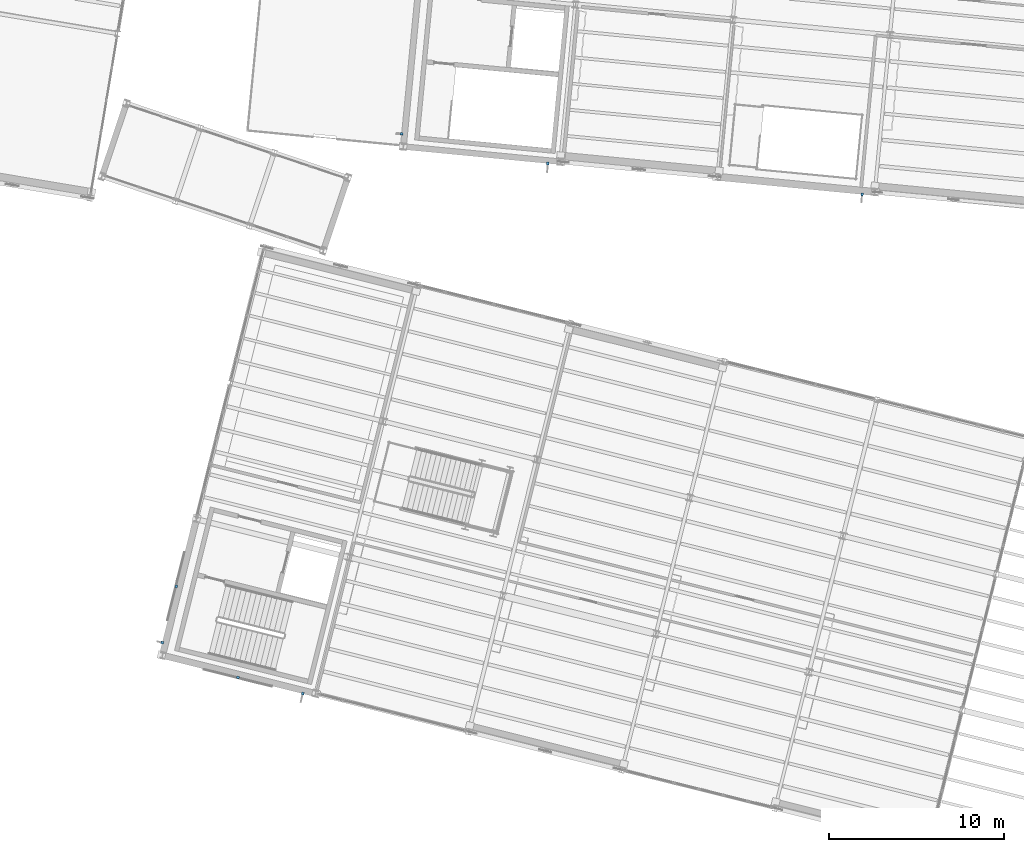
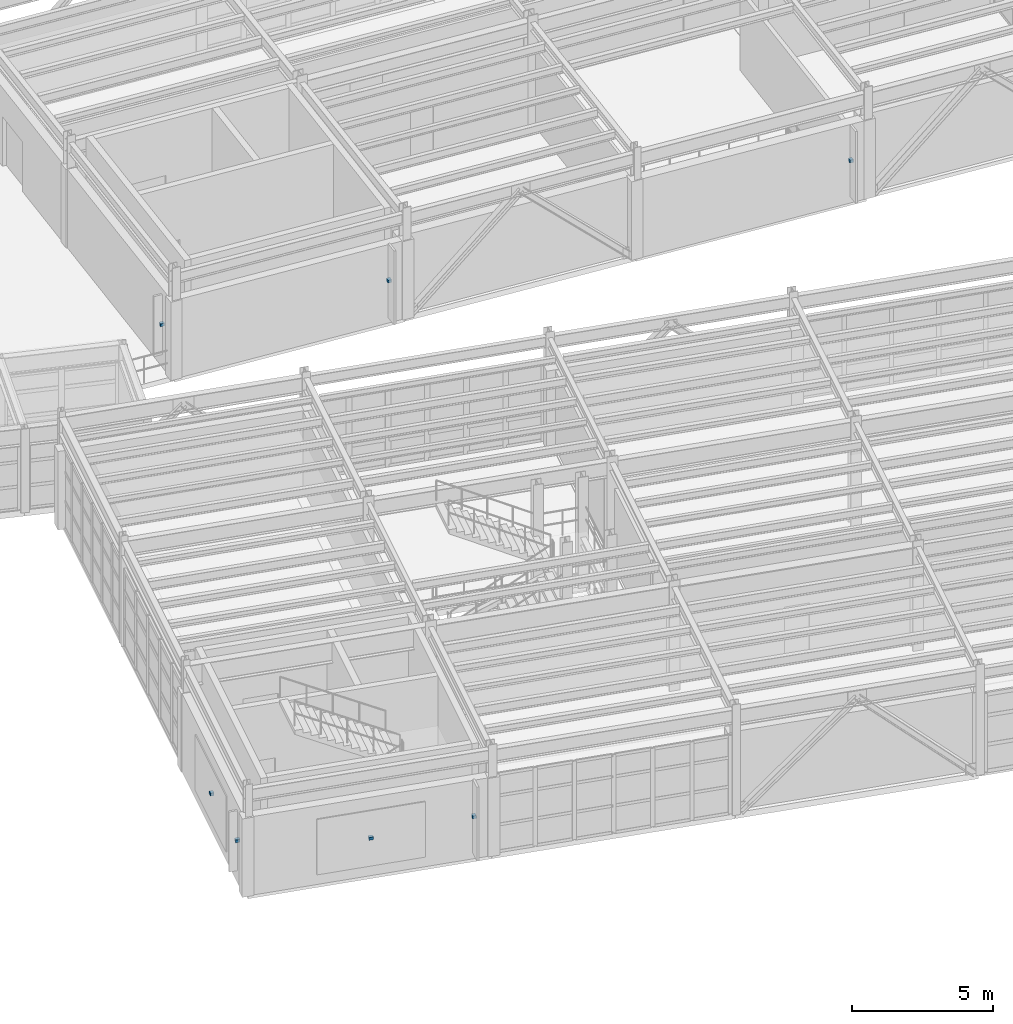
# One storey, part 94 of 102: 7 discrete accessories.
"""IFC4 building model written with IfcOpenShell, lengths in metres."""

from ifc_helpers import new_model, si_unit, direction, frame, origin, origin_2d, place, context, subcontext, project, spatial, rectangle, extrude, material, type_object, element, save


model = new_model("IFC4")

# Units and contexts
model_context = context("Model", 3, precision=1e-05, world=origin(), true_north=direction((0.0, 1.0)))
body_context = subcontext(model_context, "Body", "Model", "MODEL_VIEW")
ifc_project = project(units=[si_unit("LENGTHUNIT", "METRE"), si_unit("AREAUNIT", "SQUARE_METRE"), si_unit("VOLUMEUNIT", "CUBIC_METRE"), si_unit("PLANEANGLEUNIT", "RADIAN"), si_unit("MASSUNIT", "GRAM", prefix="KILO")], contexts=[model_context])

# Site, building, storey
site_placement = place(None, origin())
site = spatial("IfcSite", under=ifc_project, at=site_placement, CompositionType="ELEMENT")
building_placement = place(site_placement, origin())
building = spatial("IfcBuilding", under=site, at=building_placement, Name="Vireo Bluff Cable Station", CompositionType="ELEMENT")
storey_placement = place(building_placement, frame((0.0, 0.0, 9.60009765625)))
storey = spatial("IfcBuildingStorey", under=building, at=storey_placement, Name="L02", CompositionType="ELEMENT", Elevation=9.60009765625)

# Discrete accessories
ifc_material = material(Name="Stainless Steel 316", Category="steel")
discrete_accessory_type = type_object("IfcDiscreteAccessoryType", Name="FACADE-BRACKET-01", PredefinedType="BRACKET", material=ifc_material)
for number, where, z_axis, x_axis, name in (
    (1, (62.003662109375, 35.81884765625, 1.789794921875), (0.0, 0.0, 1.0), (-0.970295735236, 0.241921859664, 0.0), "V1 L02 solar fin bracket 5"),
    (2, (53.990966796875, 38.728759765625, 1.789794921875), (0.0, 0.0, 1.0), (0.241921938225, 0.970295715648, 0.0), "V1 L02 solar fin bracket 6"),
    (3, (93.888916015625, 64.27978515625, 1.789794921875), (0.0, 0.0, 1.0), (-0.995396200324, 0.095845732194, 0.0), "V3 L02 solar fin bracket 22"),
    (4, (75.9755859375, 66.044921875, 1.789794921875), (0.0, 0.0, 1.0), (-0.995396202347, 0.09584571119, 0.0), "V3 L02 solar fin bracket 23"),
    (5, (67.63720703125, 67.73046875, 1.789794921875), (0.0, 0.0, 1.0), (0.095845746196, 0.995396198976, 0.0), "V3 L02 solar fin bracket 24"),
):
    element("IfcDiscreteAccessory", number, at=place(storey_placement, frame(where, z_axis=z_axis, x_axis=x_axis)), inside=storey, type_object=discrete_accessory_type, Name=name, PredefinedType="BRACKET", context=body_context, shape_type="SweptSolid", body=[
        extrude(rectangle(XDim=0.139892578125, YDim=0.159912109375, at=origin_2d()), origin(), (0.0, 0.0, 1.0), 0.1201171875),
    ])
for number, where, z_axis, x_axis, name in (
    (6, (58.309326171875, 36.739990234375, 1.58984375), (0.0, 0.0, 1.0), (-0.970295735236, 0.241921859664, 0.0), "V1 L02 zinc cladding bracket 5"),
    (7, (54.790771484375, 41.93603515625, 1.58984375), (0.0, 0.0, 1.0), (0.241921938225, 0.970295715648, 0.0), "V1 L02 zinc cladding bracket 6"),
):
    element("IfcDiscreteAccessory", number, at=place(storey_placement, frame(where, z_axis=z_axis, x_axis=x_axis)), inside=storey, type_object=discrete_accessory_type, Name=name, PredefinedType="BRACKET", context=body_context, shape_type="SweptSolid", body=[
        extrude(rectangle(XDim=0.159912109375, YDim=0.139892578125, at=origin_2d()), origin(), (0.0, 0.0, 1.0), 0.1201171875),
    ])

save(model, "model.ifc")
